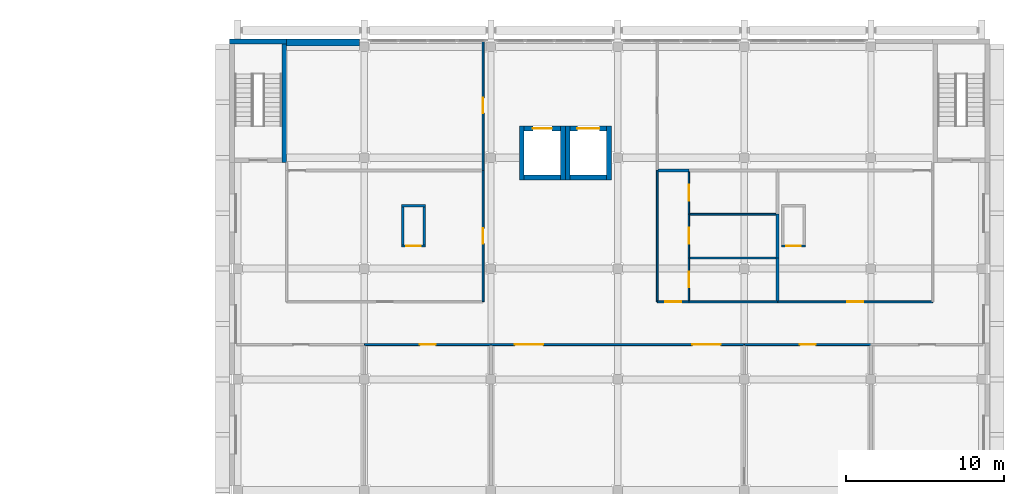
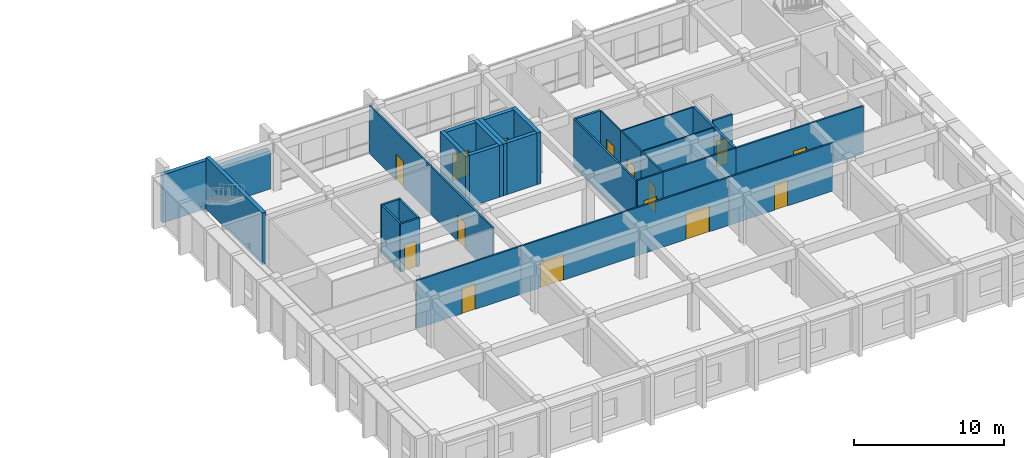
# One storey, part 35 of 43: 33 walls, 15 doors, 15 openings.
"""IFC4 building model written with IfcOpenShell, lengths in metres."""

from ifc_helpers import new_model, si_unit, direction, frame, frame_2d, origin, place, context, subcontext, project, spatial, rectangle, extrude, material, layer, layer_set, type_object, element, fill, save


model = new_model("IFC4")

# Units and contexts
model_context = context("Model", 3, precision=1e-05, world=origin(), true_north=direction((0.0, 1.0)))
body_context = subcontext(model_context, "Body", "Model", "MODEL_VIEW")
ifc_project = project(units=[si_unit("LENGTHUNIT", "METRE"), si_unit("AREAUNIT", "SQUARE_METRE"), si_unit("VOLUMEUNIT", "CUBIC_METRE"), si_unit("PLANEANGLEUNIT", "RADIAN"), si_unit("MASSUNIT", "GRAM", prefix="KILO")], contexts=[model_context])

# Site, building, storey
site_placement = place(None, origin())
site = spatial("IfcSite", under=ifc_project, at=site_placement, CompositionType="ELEMENT")
building_placement = place(site_placement, origin())
building = spatial("IfcBuilding", under=site, at=building_placement, Name="Elmora Arch Market Hall", CompositionType="ELEMENT")
storey_placement = place(building_placement, frame((0.0, 0.0, 10.199951171875)))
storey = spatial("IfcBuildingStorey", under=building, at=storey_placement, Name="L02", CompositionType="ELEMENT", Elevation=10.199951171875)

# Wall, opening, door
ifc_material_1 = material(Name="Blockwork", Category="masonry")
ifc_layer_1 = layer(ifc_material_1, 0.14990234375)
ifc_layer_set_1 = layer_set([ifc_layer_1], Name="Blockwork")
wall_type_1 = type_object("IfcWallType", Name="Blockwork partition 150 EI 120", PredefinedType="PARTITIONING", material=ifc_layer_set_1)
wall_1_placement = place(storey_placement, frame((96.85009765625, 152.925048828125, 0.0), z_axis=(0.0, 0.0, 1.0), x_axis=(1.0, 0.0, 0.0)))
wall_1 = element("IfcWall", 1, at=wall_1_placement, inside=storey, type_object=wall_type_1, Name="Riser wall L02 01", PredefinedType="PARTITIONING", context=body_context, shape_type="SweptSolid", body=[
    extrude(rectangle(XDim=1.5, YDim=0.14990234375, at=frame_2d((0.75, 0.0))), origin(), (0.0, 0.0, 1.0), 3.900146484375),
])
opening_1_placement = place(wall_1_placement, frame((0.300048828125, 0.0, 0.0)))
opening_1 = element("IfcOpeningElement", 2, at=opening_1_placement, cuts=wall_1, Name="Opening D-L02-025", PredefinedType="OPENING", context=body_context, shape_type="SweptSolid", body=[
    extrude(rectangle(XDim=0.89990234375, YDim=2.10009765625, at=frame_2d((0.449951171875, 1.050048828125))), frame((0.0, 0.0849609375, 0.0), z_axis=(0.0, -1.0, 0.0), x_axis=(1.0, 0.0, 0.0)), (0.0, 0.0, 1.0), 0.169921875),
])
ifc_material_2 = material(Name="Steel ASTM A653 galvanised", Category="steel")
door_type_1 = type_object("IfcDoorType", Name="Door 900 x 2100 FD90", OperationType="SINGLE_SWING_LEFT", PredefinedType="DOOR", material=ifc_material_2)
door_1_placement = place(opening_1_placement, origin())
door_1 = element("IfcDoor", 3, at=door_1_placement, inside=storey, type_object=door_type_1, Name="Riser access door D-L02-025", OperationType="SINGLE_SWING_LEFT", OverallHeight=2.10009765625, OverallWidth=0.89990234375, PredefinedType="DOOR", context=body_context, shape_type="SweptSolid", body=[
    extrude(rectangle(XDim=0.89990234375, YDim=2.10009765625, at=frame_2d((0.449951171875, 1.050048828125))), frame((0.0, 0.02490234375, 0.0), z_axis=(0.0, -1.0, 0.0), x_axis=(1.0, 0.0, 0.0)), (0.0, 0.0, 1.0), 0.050048828125),
])
fill(opening_1, door_1)

# Walls
wall_2_placement = place(storey_placement, frame((96.925048828125, 153.0, 0.0), z_axis=(0.0, 0.0, 1.0), x_axis=(0.0, 1.0, 0.0)))
element("IfcWall", 4, at=wall_2_placement, inside=storey, type_object=wall_type_1, Name="Riser wall L02 02", PredefinedType="PARTITIONING", context=body_context, shape_type="SweptSolid", body=[
    extrude(rectangle(XDim=2.39990234375, YDim=0.14990234375, at=frame_2d((1.199951171875, 0.0))), origin(), (0.0, 0.0, 1.0), 3.900146484375),
])
wall_3_placement = place(storey_placement, frame((96.85009765625, 155.47509765625, 0.0), z_axis=(0.0, 0.0, 1.0), x_axis=(1.0, 0.0, 0.0)))
element("IfcWall", 5, at=wall_3_placement, inside=storey, type_object=wall_type_1, Name="Riser wall L02 03", PredefinedType="PARTITIONING", context=body_context, shape_type="SweptSolid", body=[
    extrude(rectangle(XDim=1.5, YDim=0.14990234375, at=frame_2d((0.75, 0.0))), origin(), (0.0, 0.0, 1.0), 3.900146484375),
])
wall_4_placement = place(storey_placement, frame((98.27490234375, 153.0, 0.0), z_axis=(0.0, 0.0, 1.0), x_axis=(0.0, 1.0, 0.0)))
element("IfcWall", 6, at=wall_4_placement, inside=storey, type_object=wall_type_1, Name="Riser wall L02 04", PredefinedType="PARTITIONING", context=body_context, shape_type="SweptSolid", body=[
    extrude(rectangle(XDim=2.39990234375, YDim=0.14990234375, at=frame_2d((1.199951171875, 0.0))), origin(), (0.0, 0.0, 1.0), 3.900146484375),
])

# Wall, opening, door
wall_5_placement = place(storey_placement, frame((120.85009765625, 152.925048828125, 0.0), z_axis=(0.0, 0.0, 1.0), x_axis=(1.0, 0.0, 0.0)))
wall_5 = element("IfcWall", 7, at=wall_5_placement, inside=storey, type_object=wall_type_1, Name="Riser wall L02 05", PredefinedType="PARTITIONING", context=body_context, shape_type="SweptSolid", body=[
    extrude(rectangle(XDim=1.5, YDim=0.14990234375, at=frame_2d((0.75, 0.0))), origin(), (0.0, 0.0, 1.0), 3.900146484375),
])
opening_2_placement = place(wall_5_placement, frame((0.300048828125, 0.0, 0.0)))
opening_2 = element("IfcOpeningElement", 8, at=opening_2_placement, cuts=wall_5, Name="Opening D-L02-026", PredefinedType="OPENING", context=body_context, shape_type="SweptSolid", body=[
    extrude(rectangle(XDim=0.89990234375, YDim=2.10009765625, at=frame_2d((0.449951171875, 1.050048828125))), frame((0.0, 0.0849609375, 0.0), z_axis=(0.0, -1.0, 0.0), x_axis=(1.0, 0.0, 0.0)), (0.0, 0.0, 1.0), 0.169921875),
])
door_2_placement = place(opening_2_placement, origin())
door_2 = element("IfcDoor", 9, at=door_2_placement, inside=storey, type_object=door_type_1, Name="Riser access door D-L02-026", OperationType="SINGLE_SWING_LEFT", OverallHeight=2.10009765625, OverallWidth=0.89990234375, PredefinedType="DOOR", context=body_context, shape_type="SweptSolid", body=[
    extrude(rectangle(XDim=0.89990234375, YDim=2.10009765625, at=frame_2d((0.449951171875, 1.050048828125))), frame((0.0, 0.02490234375, 0.0), z_axis=(0.0, -1.0, 0.0), x_axis=(1.0, 0.0, 0.0)), (0.0, 0.0, 1.0), 0.050048828125),
])
fill(opening_2, door_2)

# Walls
ifc_material_3 = material(Name="Concrete C40/50", Category="concrete")
ifc_layer_2 = layer(ifc_material_3, 0.300048828125)
ifc_layer_set_2 = layer_set([ifc_layer_2], Name="Concrete C40/50")
wall_type_2 = type_object("IfcWallType", Name="Board-marked concrete wall 300", PredefinedType="SOLIDWALL", material=ifc_layer_set_2)
wall_6_placement = place(storey_placement, frame((86.0, 165.85009765625, 0.0), z_axis=(0.0, 0.0, 1.0), x_axis=(1.0, 0.0, 0.0)))
element("IfcWall", 10, at=wall_6_placement, inside=storey, type_object=wall_type_2, Name="School stair wall N L02 1", PredefinedType="SOLIDWALL", context=body_context, shape_type="SweptSolid", body=[
    extrude(rectangle(XDim=3.60009765625, YDim=0.300048828125, at=frame_2d((1.800048828125, 0.0))), origin(), (0.0, 0.0, 1.0), 3.900146484375),
])
ifc_material_4 = material(Name="Concrete C40/50", Category="concrete")
ifc_layer_3 = layer(ifc_material_4, 0.449951171875)
ifc_layer_set_3 = layer_set([ifc_layer_3], Name="Concrete C40/50")
wall_type_3 = type_object("IfcWallType", Name="Board-marked concrete wall 450", PredefinedType="SOLIDWALL", material=ifc_layer_set_3)
wall_7_placement = place(storey_placement, frame((89.60009765625, 165.77490234375, 0.0), z_axis=(0.0, 0.0, 1.0), x_axis=(1.0, 0.0, 0.0)))
element("IfcWall", 11, at=wall_7_placement, inside=storey, type_object=wall_type_3, Name="School facade wall N L02 3", PredefinedType="SOLIDWALL", context=body_context, shape_type="SweptSolid", body=[
    extrude(rectangle(XDim=4.599853515625, YDim=0.449951171875, at=frame_2d((2.2998046875, 0.0))), origin(), (0.0, 0.0, 1.0), 3.10009765625),
])
ifc_material_5 = material(Name="Concrete C40/50", Category="concrete")
ifc_layer_4 = layer(ifc_material_5, 0.300048828125)
ifc_layer_set_4 = layer_set([ifc_layer_4], Name="Concrete C40/50")
wall_type_4 = type_object("IfcWallType", Name="Lift shaft wall 300", PredefinedType="SHEAR", material=ifc_layer_set_4)
for number, where, z_axis, x_axis, name in (
    (12, (104.449951171875, 157.10009765625, 0.0), (0.0, 0.0, 1.0), (0.0, 1.0, 0.0), "Lift shaft wall SL1 W L02"),
    (13, (107.050048828125, 157.10009765625, 0.0), (0.0, 0.0, 1.0), (0.0, 1.0, 0.0), "Lift shaft wall SL1 E L02"),
):
    element("IfcWall", number, at=place(storey_placement, frame(where, z_axis=z_axis, x_axis=x_axis)), inside=storey, type_object=wall_type_4, Name=name, PredefinedType="SHEAR", context=body_context, shape_type="SweptSolid", body=[
        extrude(rectangle(XDim=3.39990234375, YDim=0.300048828125, at=frame_2d((1.699951171875, 0.0))), origin(), (0.0, 0.0, 1.0), 4.199951171875),
    ])
wall_8_placement = place(storey_placement, frame((104.60009765625, 157.25, 0.0), z_axis=(0.0, 0.0, 1.0), x_axis=(1.0, 0.0, 0.0)))
element("IfcWall", 14, at=wall_8_placement, inside=storey, type_object=wall_type_4, Name="Lift shaft wall SL1 S L02", PredefinedType="SHEAR", context=body_context, shape_type="SweptSolid", body=[
    extrude(rectangle(XDim=2.2998046875, YDim=0.300048828125, at=frame_2d((1.14990234375, 0.0))), origin(), (0.0, 0.0, 1.0), 4.199951171875),
])

# Wall, opening, door
wall_9_placement = place(storey_placement, frame((104.60009765625, 160.35009765625, 0.0), z_axis=(0.0, 0.0, 1.0), x_axis=(1.0, 0.0, 0.0)))
wall_9 = element("IfcWall", 15, at=wall_9_placement, inside=storey, type_object=wall_type_4, Name="Lift shaft wall SL1 N L02", PredefinedType="SHEAR", context=body_context, shape_type="SweptSolid", body=[
    extrude(rectangle(XDim=2.2998046875, YDim=0.300048828125, at=frame_2d((1.14990234375, 0.0))), origin(), (0.0, 0.0, 1.0), 4.199951171875),
])
opening_3_placement = place(wall_9_placement, frame((0.550048828125, 0.0, 0.0)))
opening_3 = element("IfcOpeningElement", 16, at=opening_3_placement, cuts=wall_9, Name="Opening LD-SL1-L02", PredefinedType="OPENING", context=body_context, shape_type="SweptSolid", body=[
    extrude(rectangle(XDim=1.199951171875, YDim=2.10009765625, at=frame_2d((0.60009765625, 1.050048828125))), frame((0.0, 0.159912109375, 0.0), z_axis=(0.0, -1.0, 0.0), x_axis=(1.0, 0.0, 0.0)), (0.0, 0.0, 1.0), 0.320068359375),
])
ifc_material_6 = material(Name="Stainless steel ASTM A240 Type 304", Category="steel")
door_type_2 = type_object("IfcDoorType", Name="Lift landing door 1200 x 2100 FD90", OperationType="SLIDING_TO_LEFT", PredefinedType="DOOR", material=ifc_material_6)
door_3_placement = place(opening_3_placement, origin())
door_3 = element("IfcDoor", 17, at=door_3_placement, inside=storey, type_object=door_type_2, Name="Landing door SL1 L02", OperationType="SLIDING_TO_LEFT", OverallHeight=2.10009765625, OverallWidth=1.199951171875, PredefinedType="DOOR", context=body_context, shape_type="SweptSolid", body=[
    extrude(rectangle(XDim=1.199951171875, YDim=2.10009765625, at=frame_2d((0.60009765625, 1.050048828125))), frame((0.0, 0.02490234375, 0.0), z_axis=(0.0, -1.0, 0.0), x_axis=(1.0, 0.0, 0.0)), (0.0, 0.0, 1.0), 0.050048828125),
])
fill(opening_3, door_3)

# Walls
for number, where, z_axis, x_axis, name in (
    (18, (107.35009765625, 157.10009765625, 0.0), (0.0, 0.0, 1.0), (0.0, 1.0, 0.0), "Lift shaft wall SL2 W L02"),
    (19, (109.949951171875, 157.10009765625, 0.0), (0.0, 0.0, 1.0), (0.0, 1.0, 0.0), "Lift shaft wall SL2 E L02"),
):
    element("IfcWall", number, at=place(storey_placement, frame(where, z_axis=z_axis, x_axis=x_axis)), inside=storey, type_object=wall_type_4, Name=name, PredefinedType="SHEAR", context=body_context, shape_type="SweptSolid", body=[
        extrude(rectangle(XDim=3.39990234375, YDim=0.300048828125, at=frame_2d((1.699951171875, 0.0))), origin(), (0.0, 0.0, 1.0), 4.199951171875),
    ])
wall_10_placement = place(storey_placement, frame((107.5, 157.25, 0.0), z_axis=(0.0, 0.0, 1.0), x_axis=(1.0, 0.0, 0.0)))
element("IfcWall", 20, at=wall_10_placement, inside=storey, type_object=wall_type_4, Name="Lift shaft wall SL2 S L02", PredefinedType="SHEAR", context=body_context, shape_type="SweptSolid", body=[
    extrude(rectangle(XDim=2.300048828125, YDim=0.300048828125, at=frame_2d((1.14990234375, 0.0))), origin(), (0.0, 0.0, 1.0), 4.199951171875),
])

# Wall, opening, door
wall_11_placement = place(storey_placement, frame((107.5, 160.35009765625, 0.0), z_axis=(0.0, 0.0, 1.0), x_axis=(1.0, 0.0, 0.0)))
wall_11 = element("IfcWall", 21, at=wall_11_placement, inside=storey, type_object=wall_type_4, Name="Lift shaft wall SL2 N L02", PredefinedType="SHEAR", context=body_context, shape_type="SweptSolid", body=[
    extrude(rectangle(XDim=2.300048828125, YDim=0.300048828125, at=frame_2d((1.14990234375, 0.0))), origin(), (0.0, 0.0, 1.0), 4.199951171875),
])
opening_4_placement = place(wall_11_placement, frame((0.449951171875, 0.0, 0.0)))
opening_4 = element("IfcOpeningElement", 22, at=opening_4_placement, cuts=wall_11, Name="Opening LD-SL2-L02", PredefinedType="OPENING", context=body_context, shape_type="SweptSolid", body=[
    extrude(rectangle(XDim=1.39990234375, YDim=2.10009765625, at=frame_2d((0.699951171875, 1.050048828125))), frame((0.0, 0.159912109375, 0.0), z_axis=(0.0, -1.0, 0.0), x_axis=(1.0, 0.0, 0.0)), (0.0, 0.0, 1.0), 0.320068359375),
])
ifc_material_7 = material(Name="Stainless steel ASTM A240 Type 304", Category="steel")
door_type_3 = type_object("IfcDoorType", Name="Lift landing door 1400 x 2100 FD90", OperationType="DOUBLE_DOOR_SLIDING", PredefinedType="DOOR", material=ifc_material_7)
door_4_placement = place(opening_4_placement, origin())
door_4 = element("IfcDoor", 23, at=door_4_placement, inside=storey, type_object=door_type_3, Name="Landing door SL2 L02", OperationType="DOUBLE_DOOR_SLIDING", OverallHeight=2.10009765625, OverallWidth=1.39990234375, PredefinedType="DOOR", context=body_context, shape_type="SweptSolid", body=[
    extrude(rectangle(XDim=1.39990234375, YDim=2.10009765625, at=frame_2d((0.699951171875, 1.050048828125))), frame((0.0, 0.02490234375, 0.0), z_axis=(0.0, -1.0, 0.0), x_axis=(1.0, 0.0, 0.0)), (0.0, 0.0, 1.0), 0.050048828125),
])
fill(opening_4, door_4)

# Walls
ifc_material_8 = material(Name="Gypsum board on metal studs")
ifc_layer_5 = layer(ifc_material_8, 0.10009765625)
ifc_layer_set_5 = layer_set([ifc_layer_5], Name="Gypsum board on metal studs")
wall_type_5 = type_object("IfcWallType", Name="Partition 100", PredefinedType="PARTITIONING", material=ifc_layer_set_5)
for number, where, z_axis, x_axis, name in (
    (24, (115.050048828125, 152.166748046875, 0.0), (0.0, 0.0, 1.0), (1.0, 0.0, 0.0), "Partition PT-L02-024"),
    (25, (115.050048828125, 154.933349609375, 0.0), (0.0, 0.0, 1.0), (1.0, 0.0, 0.0), "Partition PT-L02-025"),
):
    element("IfcWall", number, at=place(storey_placement, frame(where, z_axis=z_axis, x_axis=x_axis)), inside=storey, type_object=wall_type_5, Name=name, PredefinedType="PARTITIONING", context=body_context, shape_type="SweptSolid", body=[
        extrude(rectangle(XDim=5.46240234375, YDim=0.10009765625, at=frame_2d((2.731201171875, 0.0))), origin(), (0.0, 0.0, 1.0), 3.900146484375),
    ])

# Wall, opening, door
wall_12_placement = place(storey_placement, frame((115.0, 149.46240234375, 0.0), z_axis=(0.0, 0.0, 1.0), x_axis=(0.0, 1.0, 0.0)))
wall_12 = element("IfcWall", 26, at=wall_12_placement, inside=storey, type_object=wall_type_5, Name="Partition PT-L02-051", PredefinedType="PARTITIONING", context=body_context, shape_type="SweptSolid", body=[
    extrude(rectangle(XDim=2.704345703125, YDim=0.10009765625, at=frame_2d((1.35205078125, 0.0))), origin(), (0.0, 0.0, 1.0), 3.900146484375),
])
opening_5_placement = place(wall_12_placement, frame((0.85009765625, 0.0, 0.0)))
opening_5 = element("IfcOpeningElement", 27, at=opening_5_placement, cuts=wall_12, Name="Opening D-L02-024", PredefinedType="OPENING", context=body_context, shape_type="SweptSolid", body=[
    extrude(rectangle(XDim=1.0, YDim=2.10009765625, at=frame_2d((0.5, 1.050048828125))), frame((0.0, 0.06005859375, 0.0), z_axis=(0.0, -1.0, 0.0), x_axis=(1.0, 0.0, 0.0)), (0.0, 0.0, 1.0), 0.1201171875),
])
ifc_material_9 = material(Name="Timber door set", Category="wood")
door_type_4 = type_object("IfcDoorType", Name="Door 1000 x 2100", OperationType="SINGLE_SWING_LEFT", PredefinedType="DOOR", material=ifc_material_9)
door_5_placement = place(opening_5_placement, frame((1.0, 0.0, 0.0), z_axis=(0.0, 0.0, 1.0), x_axis=(-1.0, 0.0, 0.0)))
door_5 = element("IfcDoor", 28, at=door_5_placement, inside=storey, type_object=door_type_4, Name="D-L02-024", OperationType="SINGLE_SWING_LEFT", OverallHeight=2.10009765625, OverallWidth=1.0, PredefinedType="DOOR", context=body_context, shape_type="SweptSolid", body=[
    extrude(rectangle(XDim=1.0, YDim=2.10009765625, at=frame_2d((0.5, 1.050048828125))), frame((0.0, 0.02490234375, 0.0), z_axis=(0.0, -1.0, 0.0), x_axis=(1.0, 0.0, 0.0)), (0.0, 0.0, 1.0), 0.050048828125),
])
fill(opening_5, door_5)

wall_13_placement = place(storey_placement, frame((115.0, 152.166748046875, 0.0), z_axis=(0.0, 0.0, 1.0), x_axis=(0.0, 1.0, 0.0)))
wall_13 = element("IfcWall", 29, at=wall_13_placement, inside=storey, type_object=wall_type_5, Name="Partition PT-L02-052", PredefinedType="PARTITIONING", context=body_context, shape_type="SweptSolid", body=[
    extrude(rectangle(XDim=2.7666015625, YDim=0.10009765625, at=frame_2d((1.38330078125, 0.0))), origin(), (0.0, 0.0, 1.0), 3.900146484375),
])
opening_6_placement = place(wall_13_placement, frame((0.89990234375, 0.0, 0.0)))
opening_6 = element("IfcOpeningElement", 30, at=opening_6_placement, cuts=wall_13, Name="Opening D-L02-028", PredefinedType="OPENING", context=body_context, shape_type="SweptSolid", body=[
    extrude(rectangle(XDim=1.0, YDim=2.10009765625, at=frame_2d((0.5, 1.050048828125))), frame((0.0, 0.06005859375, 0.0), z_axis=(0.0, -1.0, 0.0), x_axis=(1.0, 0.0, 0.0)), (0.0, 0.0, 1.0), 0.1201171875),
])
door_6_placement = place(opening_6_placement, frame((1.0, 0.0, 0.0), z_axis=(0.0, 0.0, 1.0), x_axis=(-1.0, 0.0, 0.0)))
door_6 = element("IfcDoor", 31, at=door_6_placement, inside=storey, type_object=door_type_4, Name="D-L02-028", OperationType="SINGLE_SWING_LEFT", OverallHeight=2.10009765625, OverallWidth=1.0, PredefinedType="DOOR", context=body_context, shape_type="SweptSolid", body=[
    extrude(rectangle(XDim=1.0, YDim=2.10009765625, at=frame_2d((0.5, 1.050048828125))), frame((0.0, 0.02490234375, 0.0), z_axis=(0.0, -1.0, 0.0), x_axis=(1.0, 0.0, 0.0)), (0.0, 0.0, 1.0), 0.050048828125),
])
fill(opening_6, door_6)

wall_14_placement = place(storey_placement, frame((115.0, 154.933349609375, 0.0), z_axis=(0.0, 0.0, 1.0), x_axis=(0.0, 1.0, 0.0)))
wall_14 = element("IfcWall", 32, at=wall_14_placement, inside=storey, type_object=wall_type_5, Name="Partition PT-L02-053", PredefinedType="PARTITIONING", context=body_context, shape_type="SweptSolid", body=[
    extrude(rectangle(XDim=2.67919921875, YDim=0.10009765625, at=frame_2d((1.339599609375, 0.0))), origin(), (0.0, 0.0, 1.0), 3.900146484375),
])
opening_7_placement = place(wall_14_placement, frame((0.85009765625, 0.0, 0.0)))
opening_7 = element("IfcOpeningElement", 33, at=opening_7_placement, cuts=wall_14, Name="Opening D-L02-029", PredefinedType="OPENING", context=body_context, shape_type="SweptSolid", body=[
    extrude(rectangle(XDim=1.0, YDim=2.10009765625, at=frame_2d((0.5, 1.050048828125))), frame((0.0, 0.06005859375, 0.0), z_axis=(0.0, -1.0, 0.0), x_axis=(1.0, 0.0, 0.0)), (0.0, 0.0, 1.0), 0.1201171875),
])
door_7_placement = place(opening_7_placement, frame((1.0, 0.0, 0.0), z_axis=(0.0, 0.0, 1.0), x_axis=(-1.0, 0.0, 0.0)))
door_7 = element("IfcDoor", 34, at=door_7_placement, inside=storey, type_object=door_type_4, Name="D-L02-029", OperationType="SINGLE_SWING_RIGHT", OverallHeight=2.10009765625, OverallWidth=1.0, PredefinedType="DOOR", context=body_context, shape_type="SweptSolid", body=[
    extrude(rectangle(XDim=1.0, YDim=2.10009765625, at=frame_2d((0.5, 1.050048828125))), frame((0.0, 0.02490234375, 0.0), z_axis=(0.0, -1.0, 0.0), x_axis=(1.0, 0.0, 0.0)), (0.0, 0.0, 1.0), 0.050048828125),
])
fill(opening_7, door_7)

ifc_material_10 = material(Name="Gypsum board on metal studs")
ifc_layer_6 = layer(ifc_material_10, 0.125)
ifc_layer_set_6 = layer_set([ifc_layer_6], Name="Gypsum board on metal studs")
wall_type_6 = type_object("IfcWallType", Name="Partition 125 EI 60", PredefinedType="PARTITIONING", material=ifc_layer_set_6)
wall_15_placement = place(storey_placement, frame((94.5, 146.699951171875, 0.0), z_axis=(0.0, 0.0, 1.0), x_axis=(1.0, 0.0, 0.0)))
wall_15 = element("IfcWall", 35, at=wall_15_placement, inside=storey, type_object=wall_type_6, Name="Partition PT-L02-016", PredefinedType="PARTITIONING", context=body_context, shape_type="SweptSolid", body=[
    extrude(rectangle(XDim=8.0, YDim=0.125, at=frame_2d((4.0, 0.0))), origin(), (0.0, 0.0, 1.0), 3.900146484375),
])
opening_8_placement = place(wall_15_placement, frame((3.5, 0.0, 0.0)))
opening_8 = element("IfcOpeningElement", 36, at=opening_8_placement, cuts=wall_15, Name="Opening D-L02-016", PredefinedType="OPENING", context=body_context, shape_type="SweptSolid", body=[
    extrude(rectangle(XDim=1.0, YDim=2.10009765625, at=frame_2d((0.5, 1.050048828125))), frame((0.0, 0.072509765625, 0.0), z_axis=(0.0, -1.0, 0.0), x_axis=(1.0, 0.0, 0.0)), (0.0, 0.0, 1.0), 0.14501953125),
])
ifc_material_11 = material(Name="Steel ASTM A653 galvanised", Category="steel")
door_type_5 = type_object("IfcDoorType", Name="Door 1000 x 2100 FD45", OperationType="SINGLE_SWING_LEFT", PredefinedType="DOOR", material=ifc_material_11)
door_8_placement = place(opening_8_placement, frame((1.0, 0.0, 0.0), z_axis=(0.0, 0.0, 1.0), x_axis=(-1.0, 0.0, 0.0)))
door_8 = element("IfcDoor", 37, at=door_8_placement, inside=storey, type_object=door_type_5, Name="D-L02-016", OperationType="SINGLE_SWING_RIGHT", OverallHeight=2.10009765625, OverallWidth=1.0, PredefinedType="DOOR", context=body_context, shape_type="SweptSolid", body=[
    extrude(rectangle(XDim=1.0, YDim=2.10009765625, at=frame_2d((0.5, 1.050048828125))), frame((0.0, 0.02490234375, 0.0), z_axis=(0.0, -1.0, 0.0), x_axis=(1.0, 0.0, 0.0)), (0.0, 0.0, 1.0), 0.050048828125),
])
fill(opening_8, door_8)

# Wall, openings, doors
wall_16_placement = place(storey_placement, frame((102.5, 146.699951171875, 0.0), z_axis=(0.0, 0.0, 1.0), x_axis=(1.0, 0.0, 0.0)))
wall_16 = element("IfcWall", 38, at=wall_16_placement, inside=storey, type_object=wall_type_6, Name="Partition PT-L02-017", PredefinedType="PARTITIONING", context=body_context, shape_type="SweptSolid", body=[
    extrude(rectangle(XDim=16.0, YDim=0.125, at=frame_2d((8.0, 0.0))), origin(), (0.0, 0.0, 1.0), 3.900146484375),
])
opening_9_placement = place(wall_16_placement, frame((1.5, 0.0, 0.0)))
opening_9 = element("IfcOpeningElement", 39, at=opening_9_placement, cuts=wall_16, Name="Opening D-L02-017", PredefinedType="OPENING", context=body_context, shape_type="SweptSolid", body=[
    extrude(rectangle(XDim=1.800048828125, YDim=2.10009765625, at=frame_2d((0.89990234375, 1.050048828125))), frame((0.0, 0.072509765625, 0.0), z_axis=(0.0, -1.0, 0.0), x_axis=(1.0, 0.0, 0.0)), (0.0, 0.0, 1.0), 0.14501953125),
])
opening_10_placement = place(wall_16_placement, frame((12.699951171875, 0.0, 0.0)))
opening_10 = element("IfcOpeningElement", 40, at=opening_10_placement, cuts=wall_16, Name="Opening D-L02-018", PredefinedType="OPENING", context=body_context, shape_type="SweptSolid", body=[
    extrude(rectangle(XDim=1.800048828125, YDim=2.10009765625, at=frame_2d((0.89990234375, 1.050048828125))), frame((0.0, 0.072509765625, 0.0), z_axis=(0.0, -1.0, 0.0), x_axis=(1.0, 0.0, 0.0)), (0.0, 0.0, 1.0), 0.14501953125),
])
ifc_material_12 = material(Name="Steel ASTM A653 galvanised", Category="steel")
door_type_6 = type_object("IfcDoorType", Name="Double door 1800 x 2100 FD45", OperationType="DOUBLE_DOOR_SINGLE_SWING", PredefinedType="DOOR", material=ifc_material_12)
door_9_placement = place(opening_9_placement, frame((1.800048828125, 0.0, 0.0), z_axis=(0.0, 0.0, 1.0), x_axis=(-1.0, 0.0, 0.0)))
door_9 = element("IfcDoor", 41, at=door_9_placement, inside=storey, type_object=door_type_6, Name="D-L02-017", OperationType="DOUBLE_DOOR_SINGLE_SWING", OverallHeight=2.10009765625, OverallWidth=1.800048828125, PredefinedType="DOOR", context=body_context, shape_type="SweptSolid", body=[
    extrude(rectangle(XDim=1.800048828125, YDim=2.10009765625, at=frame_2d((0.89990234375, 1.050048828125))), frame((0.0, 0.02490234375, 0.0), z_axis=(0.0, -1.0, 0.0), x_axis=(1.0, 0.0, 0.0)), (0.0, 0.0, 1.0), 0.050048828125),
])
fill(opening_9, door_9)
door_10_placement = place(opening_10_placement, frame((1.800048828125, 0.0, 0.0), z_axis=(0.0, 0.0, 1.0), x_axis=(-1.0, 0.0, 0.0)))
door_10 = element("IfcDoor", 42, at=door_10_placement, inside=storey, type_object=door_type_6, Name="D-L02-018", OperationType="DOUBLE_DOOR_SINGLE_SWING", OverallHeight=2.10009765625, OverallWidth=1.800048828125, PredefinedType="DOOR", context=body_context, shape_type="SweptSolid", body=[
    extrude(rectangle(XDim=1.800048828125, YDim=2.10009765625, at=frame_2d((0.89990234375, 1.050048828125))), frame((0.0, 0.02490234375, 0.0), z_axis=(0.0, -1.0, 0.0), x_axis=(1.0, 0.0, 0.0)), (0.0, 0.0, 1.0), 0.050048828125),
])
fill(opening_10, door_10)

# Wall, opening, door
wall_17_placement = place(storey_placement, frame((118.5, 146.699951171875, 0.0), z_axis=(0.0, 0.0, 1.0), x_axis=(1.0, 0.0, 0.0)))
wall_17 = element("IfcWall", 43, at=wall_17_placement, inside=storey, type_object=wall_type_6, Name="Partition PT-L02-018", PredefinedType="PARTITIONING", context=body_context, shape_type="SweptSolid", body=[
    extrude(rectangle(XDim=8.0, YDim=0.125, at=frame_2d((4.0, 0.0))), origin(), (0.0, 0.0, 1.0), 3.900146484375),
])
opening_11_placement = place(wall_17_placement, frame((3.5, 0.0, 0.0)))
opening_11 = element("IfcOpeningElement", 44, at=opening_11_placement, cuts=wall_17, Name="Opening D-L02-019", PredefinedType="OPENING", context=body_context, shape_type="SweptSolid", body=[
    extrude(rectangle(XDim=1.0, YDim=2.10009765625, at=frame_2d((0.5, 1.050048828125))), frame((0.0, 0.072509765625, 0.0), z_axis=(0.0, -1.0, 0.0), x_axis=(1.0, 0.0, 0.0)), (0.0, 0.0, 1.0), 0.14501953125),
])
door_11_placement = place(opening_11_placement, frame((1.0, 0.0, 0.0), z_axis=(0.0, 0.0, 1.0), x_axis=(-1.0, 0.0, 0.0)))
door_11 = element("IfcDoor", 45, at=door_11_placement, inside=storey, type_object=door_type_5, Name="D-L02-019", OperationType="SINGLE_SWING_RIGHT", OverallHeight=2.10009765625, OverallWidth=1.0, PredefinedType="DOOR", context=body_context, shape_type="SweptSolid", body=[
    extrude(rectangle(XDim=1.0, YDim=2.10009765625, at=frame_2d((0.5, 1.050048828125))), frame((0.0, 0.02490234375, 0.0), z_axis=(0.0, -1.0, 0.0), x_axis=(1.0, 0.0, 0.0)), (0.0, 0.0, 1.0), 0.050048828125),
])
fill(opening_11, door_11)

wall_18_placement = place(storey_placement, frame((113.010009765625, 149.39990234375, 0.0), z_axis=(0.0, 0.0, 1.0), x_axis=(1.0, 0.0, 0.0)))
wall_18 = element("IfcWall", 46, at=wall_18_placement, inside=storey, type_object=wall_type_6, Name="Partition PT-L02-021", PredefinedType="PARTITIONING", context=body_context, shape_type="SweptSolid", body=[
    extrude(rectangle(XDim=1.989990234375, YDim=0.125, at=frame_2d((0.9951171875, 0.0))), origin(), (0.0, 0.0, 1.0), 3.900146484375),
])
opening_12_placement = place(wall_18_placement, frame((0.5, 0.0, 0.0)))
opening_12 = element("IfcOpeningElement", 47, at=opening_12_placement, cuts=wall_18, Name="Opening D-L02-022", PredefinedType="OPENING", context=body_context, shape_type="SweptSolid", body=[
    extrude(rectangle(XDim=1.0, YDim=2.10009765625, at=frame_2d((0.5, 1.050048828125))), frame((0.0, 0.072509765625, 0.0), z_axis=(0.0, -1.0, 0.0), x_axis=(1.0, 0.0, 0.0)), (0.0, 0.0, 1.0), 0.14501953125),
])
ifc_material_13 = material(Name="Steel ASTM A653 galvanised", Category="steel")
door_type_7 = type_object("IfcDoorType", Name="Door 1000 x 2100 FD20", OperationType="SINGLE_SWING_LEFT", PredefinedType="DOOR", material=ifc_material_13)
door_12_placement = place(opening_12_placement, origin())
door_12 = element("IfcDoor", 48, at=door_12_placement, inside=storey, type_object=door_type_7, Name="D-L02-022", OperationType="SINGLE_SWING_RIGHT", OverallHeight=2.10009765625, OverallWidth=1.0, PredefinedType="DOOR", context=body_context, shape_type="SweptSolid", body=[
    extrude(rectangle(XDim=1.0, YDim=2.10009765625, at=frame_2d((0.5, 1.050048828125))), frame((0.0, 0.02490234375, 0.0), z_axis=(0.0, -1.0, 0.0), x_axis=(1.0, 0.0, 0.0)), (0.0, 0.0, 1.0), 0.050048828125),
])
fill(opening_12, door_12)

# Wall
wall_19_placement = place(storey_placement, frame((115.0, 149.39990234375, 0.0), z_axis=(0.0, 0.0, 1.0), x_axis=(1.0, 0.0, 0.0)))
element("IfcWall", 49, at=wall_19_placement, inside=storey, type_object=wall_type_6, Name="Partition PT-L02-022", PredefinedType="PARTITIONING", context=body_context, shape_type="SweptSolid", body=[
    extrude(rectangle(XDim=5.60009765625, YDim=0.125, at=frame_2d((2.800048828125, 0.0))), origin(), (0.0, 0.0, 1.0), 3.900146484375),
])

# Wall, opening, door
wall_20_placement = place(storey_placement, frame((120.60009765625, 149.39990234375, 0.0), z_axis=(0.0, 0.0, 1.0), x_axis=(1.0, 0.0, 0.0)))
wall_20 = element("IfcWall", 50, at=wall_20_placement, inside=storey, type_object=wall_type_6, Name="Partition PT-L02-023", PredefinedType="PARTITIONING", context=body_context, shape_type="SweptSolid", body=[
    extrude(rectangle(XDim=9.789794921875, YDim=0.125, at=frame_2d((4.89501953125, 0.0))), origin(), (0.0, 0.0, 1.0), 3.900146484375),
])
opening_13_placement = place(wall_20_placement, frame((4.39990234375, 0.0, 0.0)))
opening_13 = element("IfcOpeningElement", 51, at=opening_13_placement, cuts=wall_20, Name="Opening D-L02-023", PredefinedType="OPENING", context=body_context, shape_type="SweptSolid", body=[
    extrude(rectangle(XDim=1.0, YDim=2.10009765625, at=frame_2d((0.5, 1.050048828125))), frame((0.0, 0.072509765625, 0.0), z_axis=(0.0, -1.0, 0.0), x_axis=(1.0, 0.0, 0.0)), (0.0, 0.0, 1.0), 0.14501953125),
])
door_13_placement = place(opening_13_placement, origin())
door_13 = element("IfcDoor", 52, at=door_13_placement, inside=storey, type_object=door_type_5, Name="D-L02-023", OperationType="SINGLE_SWING_LEFT", OverallHeight=2.10009765625, OverallWidth=1.0, PredefinedType="DOOR", context=body_context, shape_type="SweptSolid", body=[
    extrude(rectangle(XDim=1.0, YDim=2.10009765625, at=frame_2d((0.5, 1.050048828125))), frame((0.0, 0.02490234375, 0.0), z_axis=(0.0, -1.0, 0.0), x_axis=(1.0, 0.0, 0.0)), (0.0, 0.0, 1.0), 0.050048828125),
])
fill(opening_13, door_13)

wall_21_placement = place(storey_placement, frame((102.0, 149.409912109375, 0.0), z_axis=(0.0, 0.0, 1.0), x_axis=(0.0, 1.0, 0.0)))
wall_21 = element("IfcWall", 53, at=wall_21_placement, inside=storey, type_object=wall_type_6, Name="Partition PT-L02-046", PredefinedType="PARTITIONING", context=body_context, shape_type="SweptSolid", body=[
    extrude(rectangle(XDim=8.2900390625, YDim=0.125, at=frame_2d((4.14501953125, 0.0))), origin(), (0.0, 0.0, 1.0), 3.900146484375),
])
opening_14_placement = place(wall_21_placement, frame((3.64990234375, 0.0, 0.0)))
opening_14 = element("IfcOpeningElement", 54, at=opening_14_placement, cuts=wall_21, Name="Opening D-L02-027", PredefinedType="OPENING", context=body_context, shape_type="SweptSolid", body=[
    extrude(rectangle(XDim=1.0, YDim=2.10009765625, at=frame_2d((0.5, 1.050048828125))), frame((0.0, 0.072509765625, 0.0), z_axis=(0.0, -1.0, 0.0), x_axis=(1.0, 0.0, 0.0)), (0.0, 0.0, 1.0), 0.14501953125),
])
door_14_placement = place(opening_14_placement, origin())
door_14 = element("IfcDoor", 55, at=door_14_placement, inside=storey, type_object=door_type_5, Name="D-L02-027", OperationType="SINGLE_SWING_RIGHT", OverallHeight=2.10009765625, OverallWidth=1.0, PredefinedType="DOOR", context=body_context, shape_type="SweptSolid", body=[
    extrude(rectangle(XDim=1.0, YDim=2.10009765625, at=frame_2d((0.5, 1.050048828125))), frame((0.0, 0.02490234375, 0.0), z_axis=(0.0, -1.0, 0.0), x_axis=(1.0, 0.0, 0.0)), (0.0, 0.0, 1.0), 0.050048828125),
])
fill(opening_14, door_14)

wall_22_placement = place(storey_placement, frame((102.0, 157.699951171875, 0.0), z_axis=(0.0, 0.0, 1.0), x_axis=(0.0, 1.0, 0.0)))
wall_22 = element("IfcWall", 56, at=wall_22_placement, inside=storey, type_object=wall_type_6, Name="Partition PT-L02-047", PredefinedType="PARTITIONING", context=body_context, shape_type="SweptSolid", body=[
    extrude(rectangle(XDim=8.150146484375, YDim=0.125, at=frame_2d((4.0751953125, 0.0))), origin(), (0.0, 0.0, 1.0), 3.900146484375),
])
opening_15_placement = place(wall_22_placement, frame((3.60009765625, 0.0, 0.0)))
opening_15 = element("IfcOpeningElement", 57, at=opening_15_placement, cuts=wall_22, Name="Opening D-L02-032", PredefinedType="OPENING", context=body_context, shape_type="SweptSolid", body=[
    extrude(rectangle(XDim=1.0, YDim=2.10009765625, at=frame_2d((0.5, 1.050048828125))), frame((0.0, 0.072509765625, 0.0), z_axis=(0.0, -1.0, 0.0), x_axis=(1.0, 0.0, 0.0)), (0.0, 0.0, 1.0), 0.14501953125),
])
door_15_placement = place(opening_15_placement, origin())
door_15 = element("IfcDoor", 58, at=door_15_placement, inside=storey, type_object=door_type_5, Name="D-L02-032", OperationType="SINGLE_SWING_LEFT", OverallHeight=2.10009765625, OverallWidth=1.0, PredefinedType="DOOR", context=body_context, shape_type="SweptSolid", body=[
    extrude(rectangle(XDim=1.0, YDim=2.10009765625, at=frame_2d((0.5, 1.050048828125))), frame((0.0, 0.02490234375, 0.0), z_axis=(0.0, -1.0, 0.0), x_axis=(1.0, 0.0, 0.0)), (0.0, 0.0, 1.0), 0.050048828125),
])
fill(opening_15, door_15)

# Walls
wall_23_placement = place(storey_placement, frame((113.0, 149.409912109375, 0.0), z_axis=(0.0, 0.0, 1.0), x_axis=(0.0, 1.0, 0.0)))
element("IfcWall", 59, at=wall_23_placement, inside=storey, type_object=wall_type_6, Name="Partition PT-L02-049", PredefinedType="PARTITIONING", context=body_context, shape_type="SweptSolid", body=[
    extrude(rectangle(XDim=8.2900390625, YDim=0.125, at=frame_2d((4.14501953125, 0.0))), origin(), (0.0, 0.0, 1.0), 3.900146484375),
])
ifc_material_14 = material(Name="Gypsum board on metal studs")
ifc_layer_7 = layer(ifc_material_14, 0.175048828125)
ifc_layer_set_7 = layer_set([ifc_layer_7], Name="Gypsum board on metal studs")
wall_type_7 = type_object("IfcWallType", Name="Partition 175 EI 60", PredefinedType="PARTITIONING", material=ifc_layer_set_7)
wall_24_placement = place(storey_placement, frame((113.0625, 157.699951171875, 0.0), z_axis=(0.0, 0.0, 1.0), x_axis=(1.0, 0.0, 0.0)))
element("IfcWall", 60, at=wall_24_placement, inside=storey, type_object=wall_type_7, Name="Partition PT-L02-027", PredefinedType="PARTITIONING", context=body_context, shape_type="SweptSolid", body=[
    extrude(rectangle(XDim=1.9375, YDim=0.175048828125, at=frame_2d((0.96875, 0.0))), origin(), (0.0, 0.0, 1.0), 3.900146484375),
])
wall_25_placement = place(storey_placement, frame((120.60009765625, 149.46240234375, 0.0), z_axis=(0.0, 0.0, 1.0), x_axis=(0.0, 1.0, 0.0)))
element("IfcWall", 61, at=wall_25_placement, inside=storey, type_object=wall_type_7, Name="Partition PT-L02-055", PredefinedType="PARTITIONING", context=body_context, shape_type="SweptSolid", body=[
    extrude(rectangle(XDim=2.704345703125, YDim=0.175048828125, at=frame_2d((1.35205078125, 0.0))), origin(), (0.0, 0.0, 1.0), 3.900146484375),
])
wall_26_placement = place(storey_placement, frame((120.60009765625, 152.166748046875, 0.0), z_axis=(0.0, 0.0, 1.0), x_axis=(0.0, 1.0, 0.0)))
element("IfcWall", 62, at=wall_26_placement, inside=storey, type_object=wall_type_7, Name="Partition PT-L02-056", PredefinedType="PARTITIONING", context=body_context, shape_type="SweptSolid", body=[
    extrude(rectangle(XDim=2.7666015625, YDim=0.175048828125, at=frame_2d((1.38330078125, 0.0))), origin(), (0.0, 0.0, 1.0), 3.900146484375),
])
ifc_material_15 = material(Name="Concrete C40/50", Category="concrete")
ifc_layer_8 = layer(ifc_material_15, 0.300048828125)
ifc_layer_set_8 = layer_set([ifc_layer_8], Name="Concrete C40/50")
wall_type_8 = type_object("IfcWallType", Name="Stair wall 300", PredefinedType="SHEAR", material=ifc_layer_set_8)
wall_27_placement = place(storey_placement, frame((89.449951171875, 158.199951171875, 0.0), z_axis=(0.0, 0.0, 1.0), x_axis=(0.0, 1.0, 0.0)))
element("IfcWall", 63, at=wall_27_placement, inside=storey, type_object=wall_type_8, Name="Stair wall ST-SCW E L02", PredefinedType="SHEAR", context=body_context, shape_type="SweptSolid", body=[
    extrude(rectangle(XDim=7.5, YDim=0.300048828125, at=frame_2d((3.75, 0.0))), origin(), (0.0, 0.0, 1.0), 4.199951171875),
])

save(model, "model.ifc")
